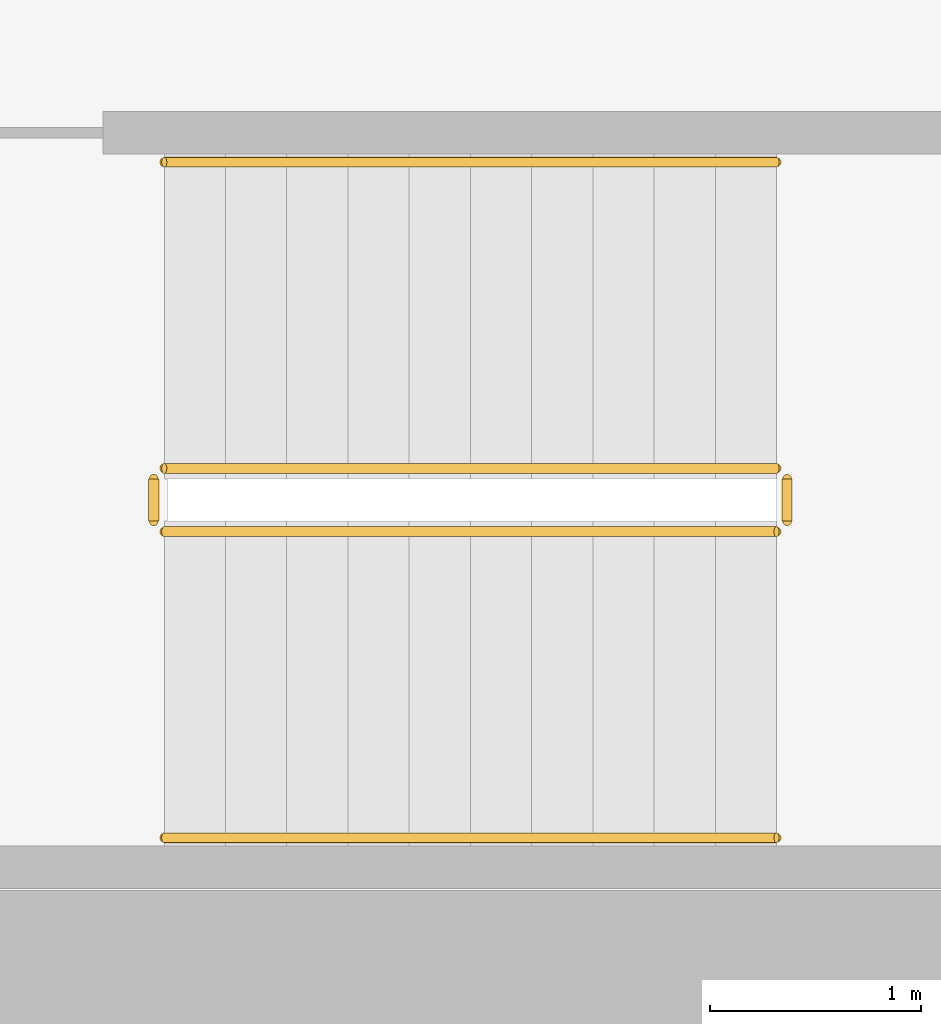
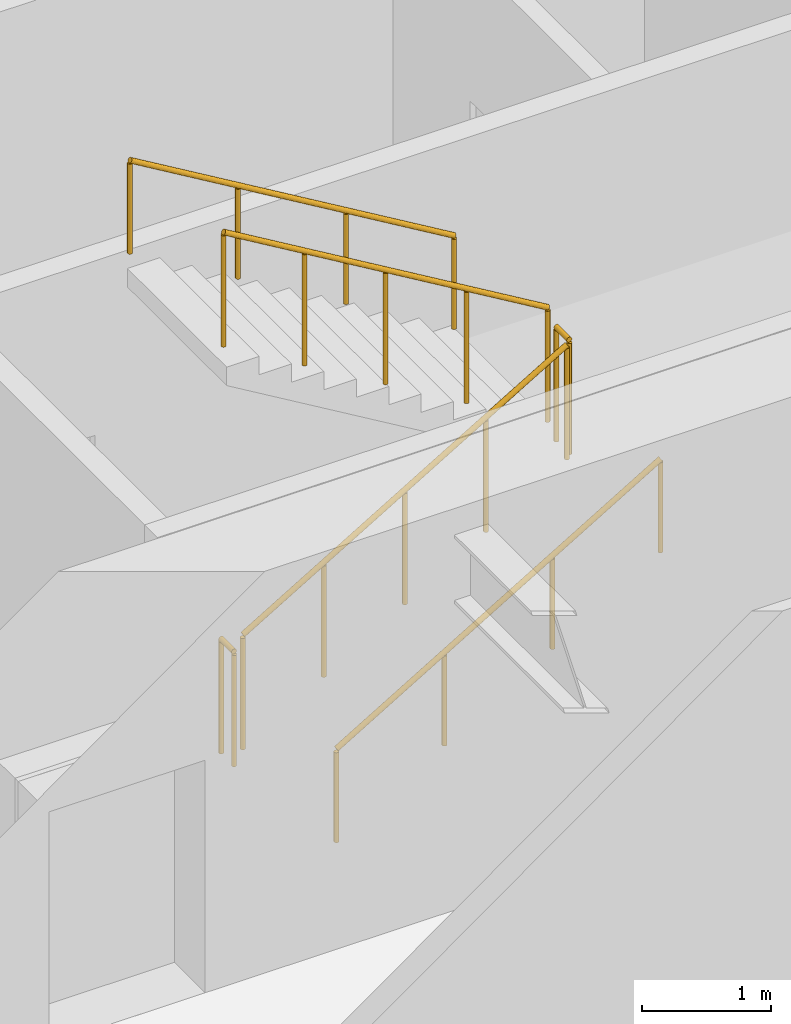
# One storey, part 19 of 20: 6 railings.
"""IFC4 building model written with IfcOpenShell, lengths in metres."""

from ifc_helpers import new_model, si_unit, direction, frame, origin, origin_2d, place, context, subcontext, project, spatial, circle, extrude, material, type_object, element, save


model = new_model("IFC4")

# Units and contexts
model_context = context("Model", 3, precision=1e-05, world=origin(), true_north=direction((0.0, 1.0)))
body_context = subcontext(model_context, "Body", "Model", "MODEL_VIEW")
ifc_project = project(units=[si_unit("LENGTHUNIT", "METRE"), si_unit("AREAUNIT", "SQUARE_METRE"), si_unit("VOLUMEUNIT", "CUBIC_METRE"), si_unit("PLANEANGLEUNIT", "RADIAN"), si_unit("MASSUNIT", "GRAM", prefix="KILO")], contexts=[model_context])

# Site, building, storey
site_placement = place(None, origin())
site = spatial("IfcSite", under=ifc_project, at=site_placement, CompositionType="ELEMENT")
building_placement = place(site_placement, origin())
building = spatial("IfcBuilding", under=site, at=building_placement, Name="Putna Gate Headquarters", CompositionType="ELEMENT")
storey_placement = place(building_placement, frame((0.0, 0.0, 54.39990234375)))
storey = spatial("IfcBuildingStorey", under=building, at=storey_placement, Name="L12", CompositionType="ELEMENT", Elevation=54.39990234375)

# Railings
ifc_material_1 = material(Name="Powder-coated steel stair guardrail", Category="steel")
railing_type_1 = type_object("IfcRailingType", Name="RAIL-STAIR-GUARD-1100", PredefinedType="GUARDRAIL", material=ifc_material_1)
railing_1_placement = place(storey_placement, frame((57.89990234375, 21.10009765625, 0.1728515625)))
element("IfcRailing", 1, at=railing_1_placement, inside=storey, type_object=railing_type_1, Name="L12 ST2 stair guard 1", PredefinedType="GUARDRAIL", context=body_context, shape_type="SweptSolid", body=[
    extrude(circle(Radius=0.02392578125, at=origin_2d()), frame((0.0, 0.0, 1.076171875), z_axis=(0.859160404282, 0.0, 0.51170636083), x_axis=(0.0, 1.0, 0.0)), (0.0, 0.0, 1.0), 3.37548828125),
    extrude(circle(Radius=0.02099609375, at=origin_2d()), origin(), (0.0, 0.0, 1.0), 1.052001953125),
    extrude(circle(Radius=0.02099609375, at=origin_2d()), frame((0.72509765625, 0.0, 0.431884765625)), (0.0, 0.0, 1.0), 1.052001953125),
    extrude(circle(Radius=0.02099609375, at=origin_2d()), frame((1.4501953125, 0.0, 0.86376953125)), (0.0, 0.0, 1.0), 1.052001953125),
    extrude(circle(Radius=0.02099609375, at=origin_2d()), frame((2.175048828125, 0.0, 1.29541015625)), (0.0, 0.0, 1.0), 1.052001953125),
    extrude(circle(Radius=0.02099609375, at=origin_2d()), frame((2.900146484375, 0.0, 1.727294921875)), (0.0, 0.0, 1.0), 1.052001953125),
])
railing_2_placement = place(storey_placement, frame((60.85009765625, 21.14990234375, 1.900146484375)))
element("IfcRailing", 2, at=railing_2_placement, inside=storey, type_object=railing_type_1, Name="L12 ST2 stair guard 2", PredefinedType="GUARDRAIL", context=body_context, shape_type="SweptSolid", body=[
    extrude(circle(Radius=0.02392578125, at=origin_2d()), frame((0.0, 0.0, 1.076171875), z_axis=(0.0, 1.0, 0.0), x_axis=(-1.0, 0.0, 0.0)), (0.0, 0.0, 1.0), 0.2001953125),
    extrude(circle(Radius=0.02099609375, at=origin_2d()), origin(), (0.0, 0.0, 1.0), 1.052001953125),
    extrude(circle(Radius=0.02099609375, at=origin_2d()), frame((0.0, 0.2001953125, 0.0)), (0.0, 0.0, 1.0), 1.052001953125),
])
railing_3_placement = place(storey_placement, frame((60.800048828125, 21.39990234375, 2.07275390625)))
element("IfcRailing", 3, at=railing_3_placement, inside=storey, type_object=railing_type_1, Name="L12 ST2 stair guard 3", PredefinedType="GUARDRAIL", context=body_context, shape_type="SweptSolid", body=[
    extrude(circle(Radius=0.02392578125, at=origin_2d()), frame((0.0, 0.0, 1.076171875), z_axis=(-0.859160404282, 0.0, 0.51170636083), x_axis=(0.0, -1.0, 0.0)), (0.0, 0.0, 1.0), 3.37548828125),
    extrude(circle(Radius=0.02099609375, at=origin_2d()), origin(), (0.0, 0.0, 1.0), 1.052001953125),
    extrude(circle(Radius=0.02099609375, at=origin_2d()), frame((-0.72509765625, 0.0, 0.431884765625)), (0.0, 0.0, 1.0), 1.052001953125),
    extrude(circle(Radius=0.02099609375, at=origin_2d()), frame((-1.4501953125, 0.0, 0.86376953125)), (0.0, 0.0, 1.0), 1.052001953125),
    extrude(circle(Radius=0.02099609375, at=origin_2d()), frame((-2.175048828125, 0.0, 1.29541015625)), (0.0, 0.0, 1.0), 1.052001953125),
    extrude(circle(Radius=0.02099609375, at=origin_2d()), frame((-2.900146484375, 0.0, 1.727294921875)), (0.0, 0.0, 1.0), 1.052001953125),
])
railing_4_placement = place(storey_placement, frame((57.85009765625, 21.14990234375, 0.0)))
element("IfcRailing", 4, at=railing_4_placement, inside=storey, type_object=railing_type_1, Name="L12 ST2 stair guard 4", PredefinedType="GUARDRAIL", context=body_context, shape_type="SweptSolid", body=[
    extrude(circle(Radius=0.02392578125, at=origin_2d()), frame((0.0, 0.0, 1.076171875), z_axis=(0.0, 1.0, 0.0), x_axis=(-1.0, 0.0, 0.0)), (0.0, 0.0, 1.0), 0.2001953125),
    extrude(circle(Radius=0.02099609375, at=origin_2d()), origin(), (0.0, 0.0, 1.0), 1.052001953125),
    extrude(circle(Radius=0.02099609375, at=origin_2d()), frame((0.0, 0.2001953125, 0.0)), (0.0, 0.0, 1.0), 1.052001953125),
])
ifc_material_2 = material(Name="Brushed stainless steel handrail", Category="steel")
railing_type_2 = type_object("IfcRailingType", Name="RAIL-STAIR-HAND-900", PredefinedType="HANDRAIL", material=ifc_material_2)
railing_5_placement = place(storey_placement, frame((57.89990234375, 19.64990234375, 0.1728515625)))
element("IfcRailing", 5, at=railing_5_placement, inside=storey, type_object=railing_type_2, Name="L12 ST2 stair handrail 1", PredefinedType="HANDRAIL", context=body_context, shape_type="SweptSolid", body=[
    extrude(circle(Radius=0.02392578125, at=origin_2d()), frame((0.0, 0.0, 0.8759765625), z_axis=(0.859160404282, 0.0, 0.51170636083), x_axis=(0.0, 1.0, 0.0)), (0.0, 0.0, 1.0), 3.37548828125),
    extrude(circle(Radius=0.02099609375, at=origin_2d()), origin(), (0.0, 0.0, 1.0), 0.851806640625),
    extrude(circle(Radius=0.02099609375, at=origin_2d()), frame((0.966796875, 0.0, 0.57568359375)), (0.0, 0.0, 1.0), 0.851806640625),
    extrude(circle(Radius=0.02099609375, at=origin_2d()), frame((1.933349609375, 0.0, 1.151611328125)), (0.0, 0.0, 1.0), 0.851806640625),
    extrude(circle(Radius=0.02099609375, at=origin_2d()), frame((2.900146484375, 0.0, 1.727294921875)), (0.0, 0.0, 1.0), 0.851806640625),
])
railing_6_placement = place(storey_placement, frame((60.800048828125, 22.85009765625, 2.07275390625)))
element("IfcRailing", 6, at=railing_6_placement, inside=storey, type_object=railing_type_2, Name="L12 ST2 stair handrail 2", PredefinedType="HANDRAIL", context=body_context, shape_type="SweptSolid", body=[
    extrude(circle(Radius=0.02392578125, at=origin_2d()), frame((0.0, 0.0, 0.8759765625), z_axis=(-0.859160404282, 0.0, 0.51170636083), x_axis=(0.0, -1.0, 0.0)), (0.0, 0.0, 1.0), 3.37548828125),
    extrude(circle(Radius=0.02099609375, at=origin_2d()), origin(), (0.0, 0.0, 1.0), 0.851806640625),
    extrude(circle(Radius=0.02099609375, at=origin_2d()), frame((-0.966796875, 0.0, 0.57568359375)), (0.0, 0.0, 1.0), 0.851806640625),
    extrude(circle(Radius=0.02099609375, at=origin_2d()), frame((-1.933349609375, 0.0, 1.151611328125)), (0.0, 0.0, 1.0), 0.851806640625),
    extrude(circle(Radius=0.02099609375, at=origin_2d()), frame((-2.900146484375, 0.0, 1.727294921875)), (0.0, 0.0, 1.0), 0.851806640625),
])

save(model, "model.ifc")
